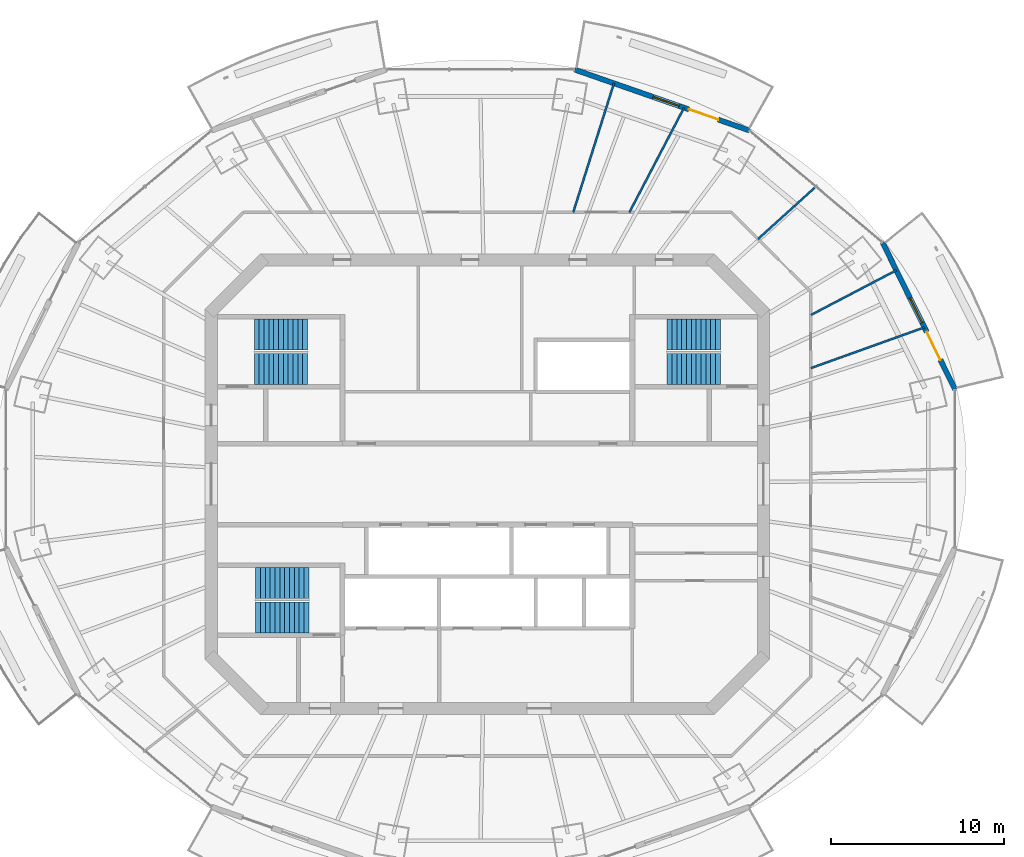
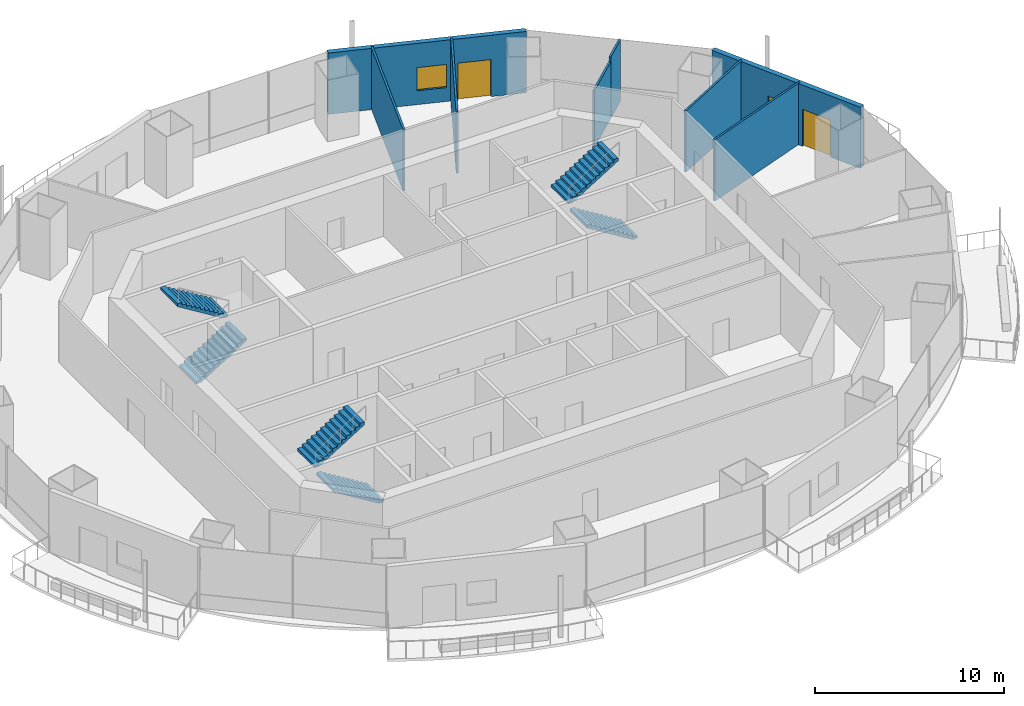
# One storey, part 11 of 16: 8 walls, 6 stair flights, 2 doors, 2 windows, 4 openings, 3 elements without a shape of their own.
"""IFC4 building model written with IfcOpenShell, lengths in metres."""

from ifc_helpers import new_model, si_unit, direction, frame, frame_2d, origin, place, context, subcontext, project, spatial, polyline, rectangle, outline, extrude, material, layer, layer_set, type_object, element, fill, aggregate, save


model = new_model("IFC4")

# Units and contexts
model_context = context("Model", 3, precision=1e-05, world=origin(), true_north=direction((0.0, 1.0)))
body_context = subcontext(model_context, "Body", "Model", "MODEL_VIEW")
ifc_project = project(units=[si_unit("LENGTHUNIT", "METRE"), si_unit("AREAUNIT", "SQUARE_METRE"), si_unit("VOLUMEUNIT", "CUBIC_METRE"), si_unit("PLANEANGLEUNIT", "RADIAN"), si_unit("MASSUNIT", "GRAM", prefix="KILO")], contexts=[model_context])

# Site, building, storey
site_placement = place(None, origin())
site = spatial("IfcSite", under=ifc_project, at=site_placement, CompositionType="ELEMENT")
building_placement = place(site_placement, origin())
building = spatial("IfcBuilding", under=site, at=building_placement, Name="Marenthal Gate Tower", CompositionType="ELEMENT")
storey_placement = place(building_placement, frame((0.0, 0.0, 313.550048828125)))
storey = spatial("IfcBuildingStorey", under=building, at=storey_placement, Name="L70", CompositionType="ELEMENT", Elevation=313.550048828125)

# Walls
ifc_material_1 = material(Name="Gypsum board on steel studs", Category="steel")
ifc_layer_1 = layer(ifc_material_1, 0.1201171875)
ifc_layer_set_1 = layer_set([ifc_layer_1], Name="Partition 120")
wall_type_1 = type_object("IfcWallType", Name="Partition 120", PredefinedType="PARTITIONING", material=ifc_layer_set_1)
wall_1_placement = place(storey_placement, frame((4.97412109375, 15.75, 0.0), z_axis=(0.0, 0.0, 1.0), x_axis=(0.301144774856, 0.953578431266, 0.0)))
element("IfcWall", 1, at=wall_1_placement, inside=storey, type_object=wall_type_1, Name="Partition wall 58", PredefinedType="PARTITIONING", context=body_context, shape_type="SweptSolid", body=[
    extrude(rectangle(XDim=7.843505859375, YDim=0.1201171875, at=frame_2d((3.921875, 0.0))), origin(), (0.0, 0.0, 1.0), 3.969970703125),
])
wall_2_placement = place(storey_placement, frame((8.228759765625, 15.75, 0.0), z_axis=(0.0, 0.0, 1.0), x_axis=(0.463069511272, 0.886321966178, 0.0)))
element("IfcWall", 2, at=wall_2_placement, inside=storey, type_object=wall_type_1, Name="Partition wall 59", PredefinedType="PARTITIONING", context=body_context, shape_type="SweptSolid", body=[
    extrude(rectangle(XDim=6.8427734375, YDim=0.1201171875, at=frame_2d((3.42138671875, 0.0))), origin(), (0.0, 0.0, 1.0), 3.969970703125),
])
wall_3_placement = place(storey_placement, frame((15.68359375, 14.20556640625, 0.0), z_axis=(0.0, 0.0, 1.0), x_axis=(0.741151165877, 0.671338178059, 0.0)))
element("IfcWall", 3, at=wall_3_placement, inside=storey, type_object=wall_type_1, Name="Partition wall 62", PredefinedType="PARTITIONING", context=body_context, shape_type="SweptSolid", body=[
    extrude(rectangle(XDim=2.843017578125, YDim=0.1201171875, at=frame_2d((1.42138671875, 0.0))), origin(), (0.0, 0.0, 1.0), 3.66796875),
])
wall_4_placement = place(storey_placement, frame((17.790771484375, 16.1142578125, 0.0), z_axis=(0.0, 0.0, 1.0), x_axis=(0.741097119871, 0.671397839525, 0.0)))
element("IfcWall", 4, at=wall_4_placement, inside=storey, type_object=wall_type_1, Name="Partition wall 70", PredefinedType="PARTITIONING", context=body_context, shape_type="SweptSolid", body=[
    extrude(rectangle(XDim=1.688232421875, YDim=0.1201171875, at=frame_2d((0.84423828125, 0.0))), origin(), (0.0, 0.0, 1.0), 3.969970703125),
])
wall_5_placement = place(storey_placement, frame((18.75, 6.72705078125, 0.0), z_axis=(0.0, 0.0, 1.0), x_axis=(0.941255616046, 0.337694929281, 0.0)))
element("IfcWall", 5, at=wall_5_placement, inside=storey, type_object=wall_type_1, Name="Partition wall 67", PredefinedType="PARTITIONING", context=body_context, shape_type="SweptSolid", body=[
    extrude(rectangle(XDim=6.988037109375, YDim=0.1201171875, at=frame_2d((3.494140625, 0.0))), origin(), (0.0, 0.0, 1.0), 3.969970703125),
])
wall_6_placement = place(storey_placement, frame((18.75, 9.8056640625, 0.0), z_axis=(0.0, 0.0, 1.0), x_axis=(0.886129976356, 0.463436797205, 0.0)))
element("IfcWall", 6, at=wall_6_placement, inside=storey, type_object=wall_type_1, Name="Partition wall 68", PredefinedType="PARTITIONING", context=body_context, shape_type="SweptSolid", body=[
    extrude(rectangle(XDim=5.584716796875, YDim=0.1201171875, at=frame_2d((2.79248046875, 0.0))), origin(), (0.0, 0.0, 1.0), 3.969970703125),
])

# Wall, openings, door, window
ifc_material_2 = material(Name="Terracotta cladding on insulated concrete-block backing", Category="masonry")
ifc_layer_2 = layer(ifc_material_2, 0.300048828125)
ifc_layer_set_2 = layer_set([ifc_layer_2], Name="Terracotta facade wall 300")
wall_type_2 = type_object("IfcWallType", Name="Terracotta facade wall 300", PredefinedType="SOLIDWALL", material=ifc_layer_set_2)
wall_7_placement = place(storey_placement, frame((27.09521484375, 5.498779296875, 0.0), z_axis=(0.0, 0.0, 1.0), x_axis=(-0.441906476931, 0.89706112704, 0.0)))
wall_7 = element("IfcWall", 7, at=wall_7_placement, inside=storey, type_object=wall_type_2, Name="Terracotta facade wall L70 bay 1", PredefinedType="SOLIDWALL", context=body_context, shape_type="SweptSolid", body=[
    extrude(rectangle(XDim=9.47216796875, YDim=0.300048828125, at=frame_2d((4.736083984375, 0.0))), origin(), (0.0, 0.0, 1.0), 3.969970703125),
])
opening_1_placement = place(wall_7_placement, frame((1.89990234375, 0.0, 0.0)))
opening_1 = element("IfcOpeningElement", 8, at=opening_1_placement, cuts=wall_7, Name="Opening BD-L70-01", PredefinedType="OPENING", context=body_context, shape_type="SweptSolid", body=[
    extrude(rectangle(XDim=1.800048828125, YDim=2.39990234375, at=frame_2d((0.89990234375, 1.199951171875))), frame((0.0, 0.16015625, 0.0), z_axis=(0.0, -1.0, 0.0), x_axis=(1.0, 0.0, 0.0)), (0.0, 0.0, 1.0), 0.320068359375),
])
opening_2_placement = place(wall_7_placement, frame((4.300048828125, 0.0, 0.89990234375)))
opening_2 = element("IfcOpeningElement", 9, at=opening_2_placement, cuts=wall_7, Name="Opening WN3-L70-01", PredefinedType="OPENING", context=body_context, shape_type="SweptSolid", body=[
    extrude(rectangle(XDim=1.60009765625, YDim=1.5, at=frame_2d((0.800048828125, 0.75))), frame((0.0, 0.16015625, 0.0), z_axis=(0.0, -1.0, 0.0), x_axis=(1.0, 0.0, 0.0)), (0.0, 0.0, 1.0), 0.320068359375),
])
ifc_material_3 = material(Name="Aluminium and glass", Category="aluminium")
door_type = type_object("IfcDoorType", Name="Balcony door 1800x2400", OperationType="DOUBLE_DOOR_SINGLE_SWING", PredefinedType="DOOR", material=ifc_material_3)
door_1_placement = place(opening_1_placement, origin())
door_1 = element("IfcDoor", 10, at=door_1_placement, inside=storey, type_object=door_type, Name="Balcony door L70 bay 1", OperationType="SINGLE_SWING_LEFT", OverallHeight=2.39990234375, OverallWidth=1.800048828125, PredefinedType="DOOR", context=body_context, shape_type="SweptSolid", body=[
    extrude(rectangle(XDim=1.800048828125, YDim=2.39990234375, at=frame_2d((0.89990234375, 1.199951171875))), frame((0.0, 0.02490234375, 0.0), z_axis=(0.0, -1.0, 0.0), x_axis=(1.0, 0.0, 0.0)), (0.0, 0.0, 1.0), 0.050048828125),
])
fill(opening_1, door_1)
ifc_material_4 = material(Name="Aluminium and glass", Category="aluminium")
window_type = type_object("IfcWindowType", Name="Window 1600x1500", PartitioningType="DOUBLE_PANEL_VERTICAL", PredefinedType="WINDOW", material=ifc_material_4)
window_1_placement = place(opening_2_placement, origin())
window_1 = element("IfcWindow", 11, at=window_1_placement, inside=storey, type_object=window_type, Name="Window L70 bay 1", OverallHeight=1.5, OverallWidth=1.60009765625, PartitioningType="SINGLE_PANEL", PredefinedType="WINDOW", context=body_context, shape_type="SweptSolid", body=[
    extrude(rectangle(XDim=1.60009765625, YDim=1.5, at=frame_2d((0.800048828125, 0.75))), frame((0.0, 0.030029296875, 0.0), z_axis=(0.0, -1.0, 0.0), x_axis=(1.0, 0.0, 0.0)), (0.0, 0.0, 1.0), 0.06005859375),
])
fill(opening_2, window_1)

wall_8_placement = place(storey_placement, frame((15.1748046875, 20.49951171875, 0.0), z_axis=(0.0, 0.0, 1.0), x_axis=(-0.94436622093, 0.328895790132, 0.0)))
wall_8 = element("IfcWall", 12, at=wall_8_placement, inside=storey, type_object=wall_type_2, Name="Terracotta facade wall L70 bay 3", PredefinedType="SOLIDWALL", context=body_context, shape_type="SweptSolid", body=[
    extrude(rectangle(XDim=10.701171875, YDim=0.300048828125, at=frame_2d((5.3505859375, 0.0))), origin(), (0.0, 0.0, 1.0), 3.969970703125),
])
opening_3_placement = place(wall_8_placement, frame((1.89990234375, 0.0, 0.0)))
opening_3 = element("IfcOpeningElement", 13, at=opening_3_placement, cuts=wall_8, Name="Opening BD-L70-03", PredefinedType="OPENING", context=body_context, shape_type="SweptSolid", body=[
    extrude(rectangle(XDim=1.800048828125, YDim=2.39990234375, at=frame_2d((0.89990234375, 1.199951171875))), frame((0.0, 0.16015625, 0.0), z_axis=(0.0, -1.0, 0.0), x_axis=(1.0, 0.0, 0.0)), (0.0, 0.0, 1.0), 0.320068359375),
])
opening_4_placement = place(wall_8_placement, frame((4.300048828125, 0.0, 0.89990234375)))
opening_4 = element("IfcOpeningElement", 14, at=opening_4_placement, cuts=wall_8, Name="Opening WN3-L70-03", PredefinedType="OPENING", context=body_context, shape_type="SweptSolid", body=[
    extrude(rectangle(XDim=1.60009765625, YDim=1.5, at=frame_2d((0.800048828125, 0.75))), frame((0.0, 0.16015625, 0.0), z_axis=(0.0, -1.0, 0.0), x_axis=(1.0, 0.0, 0.0)), (0.0, 0.0, 1.0), 0.320068359375),
])
door_2_placement = place(opening_3_placement, origin())
door_2 = element("IfcDoor", 15, at=door_2_placement, inside=storey, type_object=door_type, Name="Balcony door L70 bay 3", OperationType="SINGLE_SWING_LEFT", OverallHeight=2.39990234375, OverallWidth=1.800048828125, PredefinedType="DOOR", context=body_context, shape_type="SweptSolid", body=[
    extrude(rectangle(XDim=1.800048828125, YDim=2.39990234375, at=frame_2d((0.89990234375, 1.199951171875))), frame((0.0, 0.02490234375, 0.0), z_axis=(0.0, -1.0, 0.0), x_axis=(1.0, 0.0, 0.0)), (0.0, 0.0, 1.0), 0.050048828125),
])
fill(opening_3, door_2)
window_2_placement = place(opening_4_placement, origin())
window_2 = element("IfcWindow", 16, at=window_2_placement, inside=storey, type_object=window_type, Name="Window L70 bay 3", OverallHeight=1.5, OverallWidth=1.60009765625, PartitioningType="SINGLE_PANEL", PredefinedType="WINDOW", context=body_context, shape_type="SweptSolid", body=[
    extrude(rectangle(XDim=1.60009765625, YDim=1.5, at=frame_2d((0.800048828125, 0.75))), frame((0.0, 0.030029296875, 0.0), z_axis=(0.0, -1.0, 0.0), x_axis=(1.0, 0.0, 0.0)), (0.0, 0.0, 1.0), 0.06005859375),
])
fill(opening_4, window_2)

# Stair, stair flights
ifc_material_5 = material(Name="Concrete 40 MPa", Category="concrete")
stair_type = type_object("IfcStairType", Name="Exit stair 1800", PredefinedType="HALF_TURN_STAIR", material=ifc_material_5)
stair_1_placement = place(storey_placement, origin())
stair_1 = element("IfcStair", 17, at=stair_1_placement, inside=storey, type_object=stair_type, Name="Stair ST1", PredefinedType="HALF_TURN_STAIR")
ifc_material_6 = material(Name="Concrete 40 MPa", Category="concrete")
stair_flight_type = type_object("IfcStairFlightType", Name="Stair flight 1800", PredefinedType="STRAIGHT", material=ifc_material_6)
stair_flight_1_placement = place(storey_placement, frame((-13.5, 6.675048828125, 0.0), z_axis=(0.0, 0.0, 1.0), x_axis=(1.0, 0.0, 0.0)))
stair_flight_1 = element("IfcStairFlight", 18, at=stair_flight_1_placement, type_object=stair_flight_type, Name="ST1 flight 1", NumberOfRisers=12, NumberOfTreads=11, PredefinedType="STRAIGHT", RiserHeight=0.172916667, TreadLength=0.28, context=body_context, shape_type="SweptSolid", body=[
    extrude(outline(polyline([(0.0, 0.0), (0.0, 0.1728515625), (0.280029296875, 0.1728515625), (0.280029296875, 0.345947265625), (0.56005859375, 0.345947265625), (0.56005859375, 0.518798828125), (0.840087890625, 0.518798828125), (0.840087890625, 0.691650390625), (1.1201171875, 0.691650390625), (1.1201171875, 0.864501953125), (1.39990234375, 0.864501953125), (1.39990234375, 1.03759765625), (1.679931640625, 1.03759765625), (1.679931640625, 1.21044921875), (1.9599609375, 1.21044921875), (1.9599609375, 1.38330078125), (2.239990234375, 1.38330078125), (2.239990234375, 1.55615234375), (2.52001953125, 1.55615234375), (2.52001953125, 1.729248046875), (2.800048828125, 1.729248046875), (2.800048828125, 1.902099609375), (3.080078125, 1.902099609375), (3.080078125, 2.074951171875), (3.080078125, 1.725830078125), (0.285400390625, 0.0), (0.0, 0.0)])), frame((0.0, 0.89990234375, 0.0), z_axis=(0.0, -1.0, 0.0), x_axis=(1.0, 0.0, 0.0)), (0.0, 0.0, 1.0), 1.800048828125),
])
stair_flight_2_placement = place(storey_placement, frame((-10.419921875, 8.675048828125, 2.074951171875), z_axis=(0.0, 0.0, 1.0), x_axis=(-1.0, 0.0, 0.0)))
stair_flight_2 = element("IfcStairFlight", 19, at=stair_flight_2_placement, type_object=stair_flight_type, Name="ST1 flight 2", NumberOfRisers=12, NumberOfTreads=11, PredefinedType="STRAIGHT", RiserHeight=0.172916667, TreadLength=0.28, context=body_context, shape_type="SweptSolid", body=[
    extrude(outline(polyline([(0.0, 0.0), (0.0, 0.1728515625), (0.280029296875, 0.1728515625), (0.280029296875, 0.345947265625), (0.56005859375, 0.345947265625), (0.56005859375, 0.518798828125), (0.840087890625, 0.518798828125), (0.840087890625, 0.691650390625), (1.1201171875, 0.691650390625), (1.1201171875, 0.864501953125), (1.39990234375, 0.864501953125), (1.39990234375, 1.03759765625), (1.679931640625, 1.03759765625), (1.679931640625, 1.21044921875), (1.9599609375, 1.21044921875), (1.9599609375, 1.38330078125), (2.239990234375, 1.38330078125), (2.239990234375, 1.55615234375), (2.52001953125, 1.55615234375), (2.52001953125, 1.729248046875), (2.800048828125, 1.729248046875), (2.800048828125, 1.902099609375), (3.080078125, 1.902099609375), (3.080078125, 2.074951171875), (3.080078125, 1.725830078125), (0.285400390625, 0.0), (0.0, 0.0)])), frame((0.0, 0.89990234375, 0.0), z_axis=(0.0, -1.0, 0.0), x_axis=(1.0, 0.0, 0.0)), (0.0, 0.0, 1.0), 1.800048828125),
])
aggregate(stair_1, [stair_flight_1, stair_flight_2])

stair_2_placement = place(storey_placement, origin())
stair_2 = element("IfcStair", 20, at=stair_2_placement, inside=storey, type_object=stair_type, Name="Stair ST2", PredefinedType="HALF_TURN_STAIR")
stair_flight_3_placement = place(storey_placement, frame((-10.35009765625, -7.72509765625, 0.0), z_axis=(0.0, 0.0, 1.0), x_axis=(-1.0, 0.0, 0.0)))
stair_flight_3 = element("IfcStairFlight", 21, at=stair_flight_3_placement, type_object=stair_flight_type, Name="ST2 flight 1", NumberOfRisers=12, NumberOfTreads=11, PredefinedType="STRAIGHT", RiserHeight=0.172916667, TreadLength=0.28, context=body_context, shape_type="SweptSolid", body=[
    extrude(outline(polyline([(0.0, 0.0), (0.0, 0.1728515625), (0.280029296875, 0.1728515625), (0.280029296875, 0.345947265625), (0.56005859375, 0.345947265625), (0.56005859375, 0.518798828125), (0.840087890625, 0.518798828125), (0.840087890625, 0.691650390625), (1.1201171875, 0.691650390625), (1.1201171875, 0.864501953125), (1.39990234375, 0.864501953125), (1.39990234375, 1.03759765625), (1.679931640625, 1.03759765625), (1.679931640625, 1.21044921875), (1.9599609375, 1.21044921875), (1.9599609375, 1.38330078125), (2.239990234375, 1.38330078125), (2.239990234375, 1.55615234375), (2.52001953125, 1.55615234375), (2.52001953125, 1.729248046875), (2.800048828125, 1.729248046875), (2.800048828125, 1.902099609375), (3.080078125, 1.902099609375), (3.080078125, 2.074951171875), (3.080078125, 1.725830078125), (0.285400390625, 0.0), (0.0, 0.0)])), frame((0.0, 0.89990234375, 0.0), z_axis=(0.0, -1.0, 0.0), x_axis=(1.0, 0.0, 0.0)), (0.0, 0.0, 1.0), 1.800048828125),
])
stair_flight_4_placement = place(storey_placement, frame((-13.429931640625, -5.72509765625, 2.074951171875), z_axis=(0.0, 0.0, 1.0), x_axis=(1.0, 0.0, 0.0)))
stair_flight_4 = element("IfcStairFlight", 22, at=stair_flight_4_placement, type_object=stair_flight_type, Name="ST2 flight 2", NumberOfRisers=12, NumberOfTreads=11, PredefinedType="STRAIGHT", RiserHeight=0.172916667, TreadLength=0.28, context=body_context, shape_type="SweptSolid", body=[
    extrude(outline(polyline([(0.0, 0.0), (0.0, 0.1728515625), (0.280029296875, 0.1728515625), (0.280029296875, 0.345947265625), (0.56005859375, 0.345947265625), (0.56005859375, 0.518798828125), (0.840087890625, 0.518798828125), (0.840087890625, 0.691650390625), (1.1201171875, 0.691650390625), (1.1201171875, 0.864501953125), (1.39990234375, 0.864501953125), (1.39990234375, 1.03759765625), (1.679931640625, 1.03759765625), (1.679931640625, 1.21044921875), (1.9599609375, 1.21044921875), (1.9599609375, 1.38330078125), (2.239990234375, 1.38330078125), (2.239990234375, 1.55615234375), (2.52001953125, 1.55615234375), (2.52001953125, 1.729248046875), (2.800048828125, 1.729248046875), (2.800048828125, 1.902099609375), (3.080078125, 1.902099609375), (3.080078125, 2.074951171875), (3.080078125, 1.725830078125), (0.285400390625, 0.0), (0.0, 0.0)])), frame((0.0, 0.89990234375, 0.0), z_axis=(0.0, -1.0, 0.0), x_axis=(1.0, 0.0, 0.0)), (0.0, 0.0, 1.0), 1.800048828125),
])
aggregate(stair_2, [stair_flight_3, stair_flight_4])

stair_3_placement = place(storey_placement, origin())
stair_3 = element("IfcStair", 23, at=stair_3_placement, inside=storey, type_object=stair_type, Name="Stair ST3", PredefinedType="HALF_TURN_STAIR")
stair_flight_5_placement = place(storey_placement, frame((13.5, 6.675048828125, 0.0), z_axis=(0.0, 0.0, 1.0), x_axis=(-1.0, 0.0, 0.0)))
stair_flight_5 = element("IfcStairFlight", 24, at=stair_flight_5_placement, type_object=stair_flight_type, Name="ST3 flight 1", NumberOfRisers=12, NumberOfTreads=11, PredefinedType="STRAIGHT", RiserHeight=0.172916667, TreadLength=0.28, context=body_context, shape_type="SweptSolid", body=[
    extrude(outline(polyline([(0.0, 0.0), (0.0, 0.1728515625), (0.280029296875, 0.1728515625), (0.280029296875, 0.345947265625), (0.56005859375, 0.345947265625), (0.56005859375, 0.518798828125), (0.840087890625, 0.518798828125), (0.840087890625, 0.691650390625), (1.1201171875, 0.691650390625), (1.1201171875, 0.864501953125), (1.39990234375, 0.864501953125), (1.39990234375, 1.03759765625), (1.679931640625, 1.03759765625), (1.679931640625, 1.21044921875), (1.9599609375, 1.21044921875), (1.9599609375, 1.38330078125), (2.239990234375, 1.38330078125), (2.239990234375, 1.55615234375), (2.52001953125, 1.55615234375), (2.52001953125, 1.729248046875), (2.800048828125, 1.729248046875), (2.800048828125, 1.902099609375), (3.080078125, 1.902099609375), (3.080078125, 2.074951171875), (3.080078125, 1.725830078125), (0.285400390625, 0.0), (0.0, 0.0)])), frame((0.0, 0.89990234375, 0.0), z_axis=(0.0, -1.0, 0.0), x_axis=(1.0, 0.0, 0.0)), (0.0, 0.0, 1.0), 1.800048828125),
])
stair_flight_6_placement = place(storey_placement, frame((10.419921875, 8.675048828125, 2.074951171875), z_axis=(0.0, 0.0, 1.0), x_axis=(1.0, 0.0, 0.0)))
stair_flight_6 = element("IfcStairFlight", 25, at=stair_flight_6_placement, type_object=stair_flight_type, Name="ST3 flight 2", NumberOfRisers=12, NumberOfTreads=11, PredefinedType="STRAIGHT", RiserHeight=0.172916667, TreadLength=0.28, context=body_context, shape_type="SweptSolid", body=[
    extrude(outline(polyline([(0.0, 0.0), (0.0, 0.1728515625), (0.280029296875, 0.1728515625), (0.280029296875, 0.345947265625), (0.56005859375, 0.345947265625), (0.56005859375, 0.518798828125), (0.840087890625, 0.518798828125), (0.840087890625, 0.691650390625), (1.1201171875, 0.691650390625), (1.1201171875, 0.864501953125), (1.39990234375, 0.864501953125), (1.39990234375, 1.03759765625), (1.679931640625, 1.03759765625), (1.679931640625, 1.21044921875), (1.9599609375, 1.21044921875), (1.9599609375, 1.38330078125), (2.239990234375, 1.38330078125), (2.239990234375, 1.55615234375), (2.52001953125, 1.55615234375), (2.52001953125, 1.729248046875), (2.800048828125, 1.729248046875), (2.800048828125, 1.902099609375), (3.080078125, 1.902099609375), (3.080078125, 2.074951171875), (3.080078125, 1.725830078125), (0.285400390625, 0.0), (0.0, 0.0)])), frame((0.0, 0.89990234375, 0.0), z_axis=(0.0, -1.0, 0.0), x_axis=(1.0, 0.0, 0.0)), (0.0, 0.0, 1.0), 1.800048828125),
])
aggregate(stair_3, [stair_flight_5, stair_flight_6])

save(model, "model.ifc")
